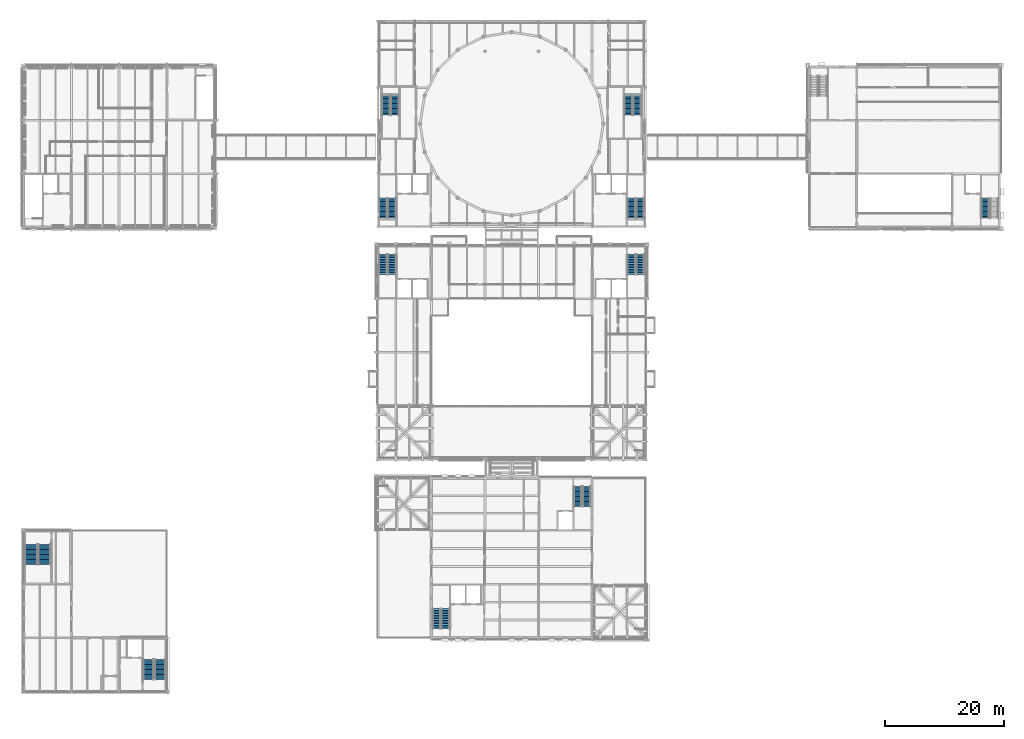
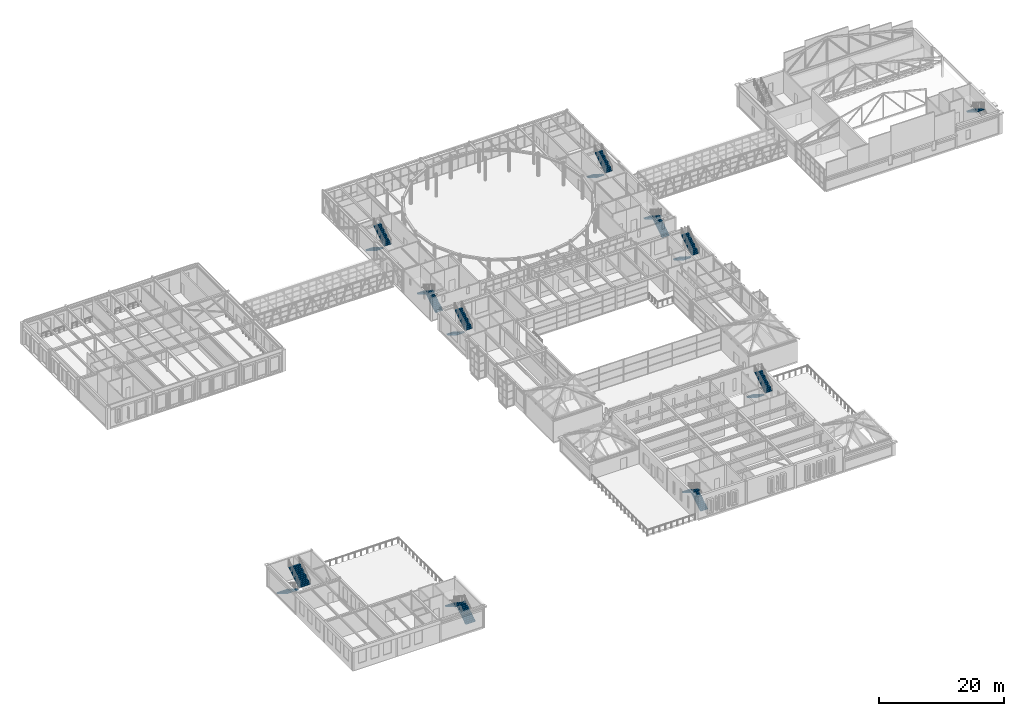
# One storey, part 101 of 149: 21 stair flights, 11 elements without a shape of their own.
"""IFC4 building model written with IfcOpenShell, lengths in metres."""

from ifc_helpers import new_model, si_unit, direction, frame, origin, place, context, subcontext, project, spatial, polyline, outline, extrude, material, type_object, element, aggregate, save


model = new_model("IFC4")

# Units and contexts
model_context = context("Model", 3, precision=1e-05, world=origin(), true_north=direction((0.0, 1.0)))
body_context = subcontext(model_context, "Body", "Model", "MODEL_VIEW")
ifc_project = project(units=[si_unit("LENGTHUNIT", "METRE"), si_unit("AREAUNIT", "SQUARE_METRE"), si_unit("VOLUMEUNIT", "CUBIC_METRE"), si_unit("PLANEANGLEUNIT", "RADIAN"), si_unit("MASSUNIT", "GRAM", prefix="KILO")], contexts=[model_context])

# Site, building, storey
site_placement = place(None, origin())
site = spatial("IfcSite", under=ifc_project, at=site_placement, CompositionType="ELEMENT")
building_placement = place(site_placement, origin())
building = spatial("IfcBuilding", under=site, at=building_placement, Name="Kallimachos Central Library", CompositionType="ELEMENT")
storey_placement = place(building_placement, frame((0.0, 0.0, 9.89990234375)))
storey = spatial("IfcBuildingStorey", under=building, at=storey_placement, Name="L02", CompositionType="ELEMENT", Elevation=9.89990234375)

# Stair, stair flights
ifc_material_1 = material(Name="Concrete C30/37", Category="concrete")
stair_type_1 = type_object("IfcStairType", Name="Concrete stair 1350", PredefinedType="HALF_TURN_STAIR", material=ifc_material_1)
stair_1_placement = place(storey_placement, origin())
stair_1 = element("IfcStair", 1, at=stair_1_placement, inside=storey, type_object=stair_type_1, Name="L02 stair ST13", PredefinedType="HALF_TURN_STAIR")
ifc_material_2 = material(Name="Concrete C30/37", Category="concrete")
stair_flight_type_1 = type_object("IfcStairFlightType", Name="Concrete stair flight 1350", PredefinedType="STRAIGHT", material=ifc_material_2)
stair_flight_1_placement = place(storey_placement, frame((76.875, 19.550048828125, 0.0), z_axis=(0.0, 0.0, 1.0), x_axis=(0.0, 1.0, 0.0)))
stair_flight_1 = element("IfcStairFlight", 2, at=stair_flight_1_placement, type_object=stair_flight_type_1, Name="ST13 flight 1", NumberOfRisers=13, NumberOfTreads=12, PredefinedType="STRAIGHT", RiserHeight=0.173076923, TreadLength=0.28, context=body_context, shape_type="SweptSolid", body=[
    extrude(outline(polyline([(0.0, 0.0), (0.0, 0.173095703125), (0.280029296875, 0.173095703125), (0.280029296875, 0.34619140625), (0.56005859375, 0.34619140625), (0.56005859375, 0.519287109375), (0.840087890625, 0.519287109375), (0.840087890625, 0.6923828125), (1.1201171875, 0.6923828125), (1.1201171875, 0.865478515625), (1.39990234375, 0.865478515625), (1.39990234375, 1.03857421875), (1.679931640625, 1.03857421875), (1.679931640625, 1.21142578125), (1.9599609375, 1.21142578125), (1.9599609375, 1.384521484375), (2.239990234375, 1.384521484375), (2.239990234375, 1.5576171875), (2.52001953125, 1.5576171875), (2.52001953125, 1.730712890625), (2.800048828125, 1.730712890625), (2.800048828125, 1.90380859375), (3.080078125, 1.90380859375), (3.080078125, 2.076904296875), (3.360107421875, 2.076904296875), (3.360107421875, 2.25), (3.360107421875, 1.900634765625), (0.28515625, 0.0), (0.0, 0.0)])), frame((0.0, 0.675048828125, 0.0), z_axis=(0.0, -1.0, 0.0), x_axis=(1.0, 0.0, 0.0)), (0.0, 0.0, 1.0), 1.35009765625),
])
stair_flight_2_placement = place(storey_placement, frame((75.375, 22.909912109375, 2.25), z_axis=(0.0, 0.0, 1.0), x_axis=(0.0, -1.0, 0.0)))
stair_flight_2 = element("IfcStairFlight", 3, at=stair_flight_2_placement, type_object=stair_flight_type_1, Name="ST13 flight 2", NumberOfRisers=13, NumberOfTreads=12, PredefinedType="STRAIGHT", RiserHeight=0.173076923, TreadLength=0.28, context=body_context, shape_type="SweptSolid", body=[
    extrude(outline(polyline([(0.0, 0.0), (0.0, 0.173095703125), (0.280029296875, 0.173095703125), (0.280029296875, 0.34619140625), (0.56005859375, 0.34619140625), (0.56005859375, 0.519287109375), (0.840087890625, 0.519287109375), (0.840087890625, 0.6923828125), (1.1201171875, 0.6923828125), (1.1201171875, 0.865478515625), (1.39990234375, 0.865478515625), (1.39990234375, 1.03857421875), (1.679931640625, 1.03857421875), (1.679931640625, 1.21142578125), (1.9599609375, 1.21142578125), (1.9599609375, 1.384521484375), (2.239990234375, 1.384521484375), (2.239990234375, 1.5576171875), (2.52001953125, 1.5576171875), (2.52001953125, 1.730712890625), (2.800048828125, 1.730712890625), (2.800048828125, 1.90380859375), (3.080078125, 1.90380859375), (3.080078125, 2.076904296875), (3.360107421875, 2.076904296875), (3.360107421875, 2.25), (3.360107421875, 1.900634765625), (0.28515625, 0.0), (0.0, 0.0)])), frame((0.0, 0.675048828125, 0.0), z_axis=(0.0, -1.0, 0.0), x_axis=(1.0, 0.0, 0.0)), (0.0, 0.0, 1.0), 1.35009765625),
])
aggregate(stair_1, [stair_flight_1, stair_flight_2])

stair_2_placement = place(storey_placement, origin())
stair_2 = element("IfcStair", 4, at=stair_2_placement, inside=storey, type_object=stair_type_1, Name="L02 stair ST14", PredefinedType="HALF_TURN_STAIR")
stair_flight_3_placement = place(storey_placement, frame((99.125, 43.449951171875, 0.0), z_axis=(0.0, 0.0, 1.0), x_axis=(0.0, -1.0, 0.0)))
stair_flight_3 = element("IfcStairFlight", 5, at=stair_flight_3_placement, type_object=stair_flight_type_1, Name="ST14 flight 1", NumberOfRisers=13, NumberOfTreads=12, PredefinedType="STRAIGHT", RiserHeight=0.173076923, TreadLength=0.28, context=body_context, shape_type="SweptSolid", body=[
    extrude(outline(polyline([(0.0, 0.0), (0.0, 0.173095703125), (0.280029296875, 0.173095703125), (0.280029296875, 0.34619140625), (0.56005859375, 0.34619140625), (0.56005859375, 0.519287109375), (0.840087890625, 0.519287109375), (0.840087890625, 0.6923828125), (1.1201171875, 0.6923828125), (1.1201171875, 0.865478515625), (1.39990234375, 0.865478515625), (1.39990234375, 1.03857421875), (1.679931640625, 1.03857421875), (1.679931640625, 1.21142578125), (1.9599609375, 1.21142578125), (1.9599609375, 1.384521484375), (2.239990234375, 1.384521484375), (2.239990234375, 1.5576171875), (2.52001953125, 1.5576171875), (2.52001953125, 1.730712890625), (2.800048828125, 1.730712890625), (2.800048828125, 1.90380859375), (3.080078125, 1.90380859375), (3.080078125, 2.076904296875), (3.360107421875, 2.076904296875), (3.360107421875, 2.25), (3.360107421875, 1.900634765625), (0.28515625, 0.0), (0.0, 0.0)])), frame((0.0, 0.675048828125, 0.0), z_axis=(0.0, -1.0, 0.0), x_axis=(1.0, 0.0, 0.0)), (0.0, 0.0, 1.0), 1.35009765625),
])
stair_flight_4_placement = place(storey_placement, frame((100.625, 40.090087890625, 2.25), z_axis=(0.0, 0.0, 1.0), x_axis=(0.0, 1.0, 0.0)))
stair_flight_4 = element("IfcStairFlight", 6, at=stair_flight_4_placement, type_object=stair_flight_type_1, Name="ST14 flight 2", NumberOfRisers=13, NumberOfTreads=12, PredefinedType="STRAIGHT", RiserHeight=0.173076923, TreadLength=0.28, context=body_context, shape_type="SweptSolid", body=[
    extrude(outline(polyline([(0.0, 0.0), (0.0, 0.173095703125), (0.280029296875, 0.173095703125), (0.280029296875, 0.34619140625), (0.56005859375, 0.34619140625), (0.56005859375, 0.519287109375), (0.840087890625, 0.519287109375), (0.840087890625, 0.6923828125), (1.1201171875, 0.6923828125), (1.1201171875, 0.865478515625), (1.39990234375, 0.865478515625), (1.39990234375, 1.03857421875), (1.679931640625, 1.03857421875), (1.679931640625, 1.21142578125), (1.9599609375, 1.21142578125), (1.9599609375, 1.384521484375), (2.239990234375, 1.384521484375), (2.239990234375, 1.5576171875), (2.52001953125, 1.5576171875), (2.52001953125, 1.730712890625), (2.800048828125, 1.730712890625), (2.800048828125, 1.90380859375), (3.080078125, 1.90380859375), (3.080078125, 2.076904296875), (3.360107421875, 2.076904296875), (3.360107421875, 2.25), (3.360107421875, 1.900634765625), (0.28515625, 0.0), (0.0, 0.0)])), frame((0.0, 0.675048828125, 0.0), z_axis=(0.0, -1.0, 0.0), x_axis=(1.0, 0.0, 0.0)), (0.0, 0.0, 1.0), 1.35009765625),
])
aggregate(stair_2, [stair_flight_3, stair_flight_4])

ifc_material_3 = material(Name="Concrete C30/37", Category="concrete")
stair_type_2 = type_object("IfcStairType", Name="Escape stair", PredefinedType="HALF_TURN_STAIR", material=ifc_material_3)
stair_3_placement = place(storey_placement, origin())
stair_3 = element("IfcStair", 7, at=stair_3_placement, inside=storey, type_object=stair_type_2, Name="L02 stair ST9", PredefinedType="HALF_TURN_STAIR")
ifc_material_4 = material(Name="Concrete C30/37", Category="concrete")
stair_flight_type_2 = type_object("IfcStairFlightType", Name="Stair flight", PredefinedType="STRAIGHT", material=ifc_material_4)
stair_flight_5_placement = place(storey_placement, frame((66.375, 82.449951171875, 0.0), z_axis=(0.0, 0.0, 1.0), x_axis=(0.0, -1.0, 0.0)))
stair_flight_5 = element("IfcStairFlight", 8, at=stair_flight_5_placement, type_object=stair_flight_type_2, Name="ST9 flight 1", NumberOfRisers=13, NumberOfTreads=12, PredefinedType="STRAIGHT", RiserHeight=0.173076923, TreadLength=0.28, context=body_context, shape_type="SweptSolid", body=[
    extrude(outline(polyline([(0.0, 0.0), (0.0, 0.173095703125), (0.280029296875, 0.173095703125), (0.280029296875, 0.34619140625), (0.56005859375, 0.34619140625), (0.56005859375, 0.519287109375), (0.840087890625, 0.519287109375), (0.840087890625, 0.6923828125), (1.1201171875, 0.6923828125), (1.1201171875, 0.865478515625), (1.39990234375, 0.865478515625), (1.39990234375, 1.03857421875), (1.679931640625, 1.03857421875), (1.679931640625, 1.21142578125), (1.9599609375, 1.21142578125), (1.9599609375, 1.384521484375), (2.239990234375, 1.384521484375), (2.239990234375, 1.5576171875), (2.52001953125, 1.5576171875), (2.52001953125, 1.730712890625), (2.800048828125, 1.730712890625), (2.800048828125, 1.90380859375), (3.080078125, 1.90380859375), (3.080078125, 2.076904296875), (3.360107421875, 2.076904296875), (3.360107421875, 2.25), (3.360107421875, 1.900634765625), (0.28515625, 0.0), (0.0, 0.0)])), frame((0.0, 0.675048828125, 0.0), z_axis=(0.0, -1.0, 0.0), x_axis=(1.0, 0.0, 0.0)), (0.0, 0.0, 1.0), 1.35009765625),
])
stair_flight_6_placement = place(storey_placement, frame((67.875, 79.090087890625, 2.25), z_axis=(0.0, 0.0, 1.0), x_axis=(0.0, 1.0, 0.0)))
stair_flight_6 = element("IfcStairFlight", 9, at=stair_flight_6_placement, type_object=stair_flight_type_2, Name="ST9 flight 2", NumberOfRisers=13, NumberOfTreads=12, PredefinedType="STRAIGHT", RiserHeight=0.173076923, TreadLength=0.28, context=body_context, shape_type="SweptSolid", body=[
    extrude(outline(polyline([(0.0, 0.0), (0.0, 0.173095703125), (0.280029296875, 0.173095703125), (0.280029296875, 0.34619140625), (0.56005859375, 0.34619140625), (0.56005859375, 0.519287109375), (0.840087890625, 0.519287109375), (0.840087890625, 0.6923828125), (1.1201171875, 0.6923828125), (1.1201171875, 0.865478515625), (1.39990234375, 0.865478515625), (1.39990234375, 1.03857421875), (1.679931640625, 1.03857421875), (1.679931640625, 1.21142578125), (1.9599609375, 1.21142578125), (1.9599609375, 1.384521484375), (2.239990234375, 1.384521484375), (2.239990234375, 1.5576171875), (2.52001953125, 1.5576171875), (2.52001953125, 1.730712890625), (2.800048828125, 1.730712890625), (2.800048828125, 1.90380859375), (3.080078125, 1.90380859375), (3.080078125, 2.076904296875), (3.360107421875, 2.076904296875), (3.360107421875, 2.25), (3.360107421875, 1.900634765625), (0.28515625, 0.0), (0.0, 0.0)])), frame((0.0, 0.675048828125, 0.0), z_axis=(0.0, -1.0, 0.0), x_axis=(1.0, 0.0, 0.0)), (0.0, 0.0, 1.0), 1.35009765625),
])
aggregate(stair_3, [stair_flight_5, stair_flight_6])

stair_4_placement = place(storey_placement, origin())
stair_4 = element("IfcStair", 10, at=stair_4_placement, inside=storey, type_object=stair_type_2, Name="L02 stair ST10", PredefinedType="HALF_TURN_STAIR")
stair_flight_7_placement = place(storey_placement, frame((108.125, 82.449951171875, 0.0), z_axis=(0.0, 0.0, 1.0), x_axis=(0.0, -1.0, 0.0)))
stair_flight_7 = element("IfcStairFlight", 11, at=stair_flight_7_placement, type_object=stair_flight_type_2, Name="ST10 flight 1", NumberOfRisers=13, NumberOfTreads=12, PredefinedType="STRAIGHT", RiserHeight=0.173076923, TreadLength=0.28, context=body_context, shape_type="SweptSolid", body=[
    extrude(outline(polyline([(0.0, 0.0), (0.0, 0.173095703125), (0.280029296875, 0.173095703125), (0.280029296875, 0.34619140625), (0.56005859375, 0.34619140625), (0.56005859375, 0.519287109375), (0.840087890625, 0.519287109375), (0.840087890625, 0.6923828125), (1.1201171875, 0.6923828125), (1.1201171875, 0.865478515625), (1.39990234375, 0.865478515625), (1.39990234375, 1.03857421875), (1.679931640625, 1.03857421875), (1.679931640625, 1.21142578125), (1.9599609375, 1.21142578125), (1.9599609375, 1.384521484375), (2.239990234375, 1.384521484375), (2.239990234375, 1.5576171875), (2.52001953125, 1.5576171875), (2.52001953125, 1.730712890625), (2.800048828125, 1.730712890625), (2.800048828125, 1.90380859375), (3.080078125, 1.90380859375), (3.080078125, 2.076904296875), (3.360107421875, 2.076904296875), (3.360107421875, 2.25), (3.360107421875, 1.900634765625), (0.28515625, 0.0), (0.0, 0.0)])), frame((0.0, 0.675048828125, 0.0), z_axis=(0.0, -1.0, 0.0), x_axis=(1.0, 0.0, 0.0)), (0.0, 0.0, 1.0), 1.35009765625),
])
stair_flight_8_placement = place(storey_placement, frame((109.625, 79.090087890625, 2.25), z_axis=(0.0, 0.0, 1.0), x_axis=(0.0, 1.0, 0.0)))
stair_flight_8 = element("IfcStairFlight", 12, at=stair_flight_8_placement, type_object=stair_flight_type_2, Name="ST10 flight 2", NumberOfRisers=13, NumberOfTreads=12, PredefinedType="STRAIGHT", RiserHeight=0.173076923, TreadLength=0.28, context=body_context, shape_type="SweptSolid", body=[
    extrude(outline(polyline([(0.0, 0.0), (0.0, 0.173095703125), (0.280029296875, 0.173095703125), (0.280029296875, 0.34619140625), (0.56005859375, 0.34619140625), (0.56005859375, 0.519287109375), (0.840087890625, 0.519287109375), (0.840087890625, 0.6923828125), (1.1201171875, 0.6923828125), (1.1201171875, 0.865478515625), (1.39990234375, 0.865478515625), (1.39990234375, 1.03857421875), (1.679931640625, 1.03857421875), (1.679931640625, 1.21142578125), (1.9599609375, 1.21142578125), (1.9599609375, 1.384521484375), (2.239990234375, 1.384521484375), (2.239990234375, 1.5576171875), (2.52001953125, 1.5576171875), (2.52001953125, 1.730712890625), (2.800048828125, 1.730712890625), (2.800048828125, 1.90380859375), (3.080078125, 1.90380859375), (3.080078125, 2.076904296875), (3.360107421875, 2.076904296875), (3.360107421875, 2.25), (3.360107421875, 1.900634765625), (0.28515625, 0.0), (0.0, 0.0)])), frame((0.0, 0.675048828125, 0.0), z_axis=(0.0, -1.0, 0.0), x_axis=(1.0, 0.0, 0.0)), (0.0, 0.0, 1.0), 1.35009765625),
])
aggregate(stair_4, [stair_flight_7, stair_flight_8])

stair_5_placement = place(storey_placement, origin())
stair_5 = element("IfcStair", 13, at=stair_5_placement, inside=storey, type_object=stair_type_2, Name="L02 stair ST17", PredefinedType="HALF_TURN_STAIR")
stair_flight_9_placement = place(storey_placement, frame((28.89990234375, 11.0, 0.0), z_axis=(0.0, 0.0, 1.0), x_axis=(0.0, 1.0, 0.0)))
stair_flight_9 = element("IfcStairFlight", 14, at=stair_flight_9_placement, type_object=stair_flight_type_2, Name="ST17 flight 1", NumberOfRisers=13, NumberOfTreads=12, PredefinedType="STRAIGHT", RiserHeight=0.173076923, TreadLength=0.28, context=body_context, shape_type="SweptSolid", body=[
    extrude(outline(polyline([(0.0, 0.0), (0.0, 0.173095703125), (0.280029296875, 0.173095703125), (0.280029296875, 0.34619140625), (0.56005859375, 0.34619140625), (0.56005859375, 0.519287109375), (0.840087890625, 0.519287109375), (0.840087890625, 0.6923828125), (1.1201171875, 0.6923828125), (1.1201171875, 0.865478515625), (1.39990234375, 0.865478515625), (1.39990234375, 1.03857421875), (1.679931640625, 1.03857421875), (1.679931640625, 1.21142578125), (1.9599609375, 1.21142578125), (1.9599609375, 1.384521484375), (2.239990234375, 1.384521484375), (2.239990234375, 1.5576171875), (2.52001953125, 1.5576171875), (2.52001953125, 1.730712890625), (2.800048828125, 1.730712890625), (2.800048828125, 1.90380859375), (3.080078125, 1.90380859375), (3.080078125, 2.076904296875), (3.360107421875, 2.076904296875), (3.360107421875, 2.25), (3.360107421875, 1.900634765625), (0.28515625, 0.0), (0.0, 0.0)])), frame((0.0, 0.89990234375, 0.0), z_axis=(0.0, -1.0, 0.0), x_axis=(1.0, 0.0, 0.0)), (0.0, 0.0, 1.0), 1.800048828125),
])
stair_flight_10_placement = place(storey_placement, frame((26.949951171875, 14.360107421875, 2.25), z_axis=(0.0, 0.0, 1.0), x_axis=(0.0, -1.0, 0.0)))
stair_flight_10 = element("IfcStairFlight", 15, at=stair_flight_10_placement, type_object=stair_flight_type_2, Name="ST17 flight 2", NumberOfRisers=13, NumberOfTreads=12, PredefinedType="STRAIGHT", RiserHeight=0.173076923, TreadLength=0.28, context=body_context, shape_type="SweptSolid", body=[
    extrude(outline(polyline([(0.0, 0.0), (0.0, 0.173095703125), (0.280029296875, 0.173095703125), (0.280029296875, 0.34619140625), (0.56005859375, 0.34619140625), (0.56005859375, 0.519287109375), (0.840087890625, 0.519287109375), (0.840087890625, 0.6923828125), (1.1201171875, 0.6923828125), (1.1201171875, 0.865478515625), (1.39990234375, 0.865478515625), (1.39990234375, 1.03857421875), (1.679931640625, 1.03857421875), (1.679931640625, 1.21142578125), (1.9599609375, 1.21142578125), (1.9599609375, 1.384521484375), (2.239990234375, 1.384521484375), (2.239990234375, 1.5576171875), (2.52001953125, 1.5576171875), (2.52001953125, 1.730712890625), (2.800048828125, 1.730712890625), (2.800048828125, 1.90380859375), (3.080078125, 1.90380859375), (3.080078125, 2.076904296875), (3.360107421875, 2.076904296875), (3.360107421875, 2.25), (3.360107421875, 1.900634765625), (0.28515625, 0.0), (0.0, 0.0)])), frame((0.0, 0.89990234375, 0.0), z_axis=(0.0, -1.0, 0.0), x_axis=(1.0, 0.0, 0.0)), (0.0, 0.0, 1.0), 1.800048828125),
])
aggregate(stair_5, [stair_flight_9, stair_flight_10])

stair_6_placement = place(storey_placement, origin())
stair_6 = element("IfcStair", 16, at=stair_6_placement, inside=storey, type_object=stair_type_2, Name="L02 stair ST18", PredefinedType="HALF_TURN_STAIR")
stair_flight_11_placement = place(storey_placement, frame((7.25, 33.699951171875, 0.0), z_axis=(0.0, 0.0, 1.0), x_axis=(0.0, -1.0, 0.0)))
stair_flight_11 = element("IfcStairFlight", 17, at=stair_flight_11_placement, type_object=stair_flight_type_2, Name="ST18 flight 1", NumberOfRisers=13, NumberOfTreads=12, PredefinedType="STRAIGHT", RiserHeight=0.173076923, TreadLength=0.28, context=body_context, shape_type="SweptSolid", body=[
    extrude(outline(polyline([(0.0, 0.0), (0.0, 0.173095703125), (0.280029296875, 0.173095703125), (0.280029296875, 0.34619140625), (0.56005859375, 0.34619140625), (0.56005859375, 0.519287109375), (0.840087890625, 0.519287109375), (0.840087890625, 0.6923828125), (1.1201171875, 0.6923828125), (1.1201171875, 0.865478515625), (1.39990234375, 0.865478515625), (1.39990234375, 1.03857421875), (1.679931640625, 1.03857421875), (1.679931640625, 1.21142578125), (1.9599609375, 1.21142578125), (1.9599609375, 1.384521484375), (2.239990234375, 1.384521484375), (2.239990234375, 1.5576171875), (2.52001953125, 1.5576171875), (2.52001953125, 1.730712890625), (2.800048828125, 1.730712890625), (2.800048828125, 1.90380859375), (3.080078125, 1.90380859375), (3.080078125, 2.076904296875), (3.360107421875, 2.076904296875), (3.360107421875, 2.25), (3.360107421875, 1.900634765625), (0.28515625, 0.0), (0.0, 0.0)])), frame((0.0, 1.050048828125, 0.0), z_axis=(0.0, -1.0, 0.0), x_axis=(1.0, 0.0, 0.0)), (0.0, 0.0, 1.0), 2.10009765625),
])
stair_flight_12_placement = place(storey_placement, frame((9.5, 30.340087890625, 2.25), z_axis=(0.0, 0.0, 1.0), x_axis=(0.0, 1.0, 0.0)))
stair_flight_12 = element("IfcStairFlight", 18, at=stair_flight_12_placement, type_object=stair_flight_type_2, Name="ST18 flight 2", NumberOfRisers=13, NumberOfTreads=12, PredefinedType="STRAIGHT", RiserHeight=0.173076923, TreadLength=0.28, context=body_context, shape_type="SweptSolid", body=[
    extrude(outline(polyline([(0.0, 0.0), (0.0, 0.173095703125), (0.280029296875, 0.173095703125), (0.280029296875, 0.34619140625), (0.56005859375, 0.34619140625), (0.56005859375, 0.519287109375), (0.840087890625, 0.519287109375), (0.840087890625, 0.6923828125), (1.1201171875, 0.6923828125), (1.1201171875, 0.865478515625), (1.39990234375, 0.865478515625), (1.39990234375, 1.03857421875), (1.679931640625, 1.03857421875), (1.679931640625, 1.21142578125), (1.9599609375, 1.21142578125), (1.9599609375, 1.384521484375), (2.239990234375, 1.384521484375), (2.239990234375, 1.5576171875), (2.52001953125, 1.5576171875), (2.52001953125, 1.730712890625), (2.800048828125, 1.730712890625), (2.800048828125, 1.90380859375), (3.080078125, 1.90380859375), (3.080078125, 2.076904296875), (3.360107421875, 2.076904296875), (3.360107421875, 2.25), (3.360107421875, 1.900634765625), (0.28515625, 0.0), (0.0, 0.0)])), frame((0.0, 1.050048828125, 0.0), z_axis=(0.0, -1.0, 0.0), x_axis=(1.0, 0.0, 0.0)), (0.0, 0.0, 1.0), 2.10009765625),
])
aggregate(stair_6, [stair_flight_11, stair_flight_12])

# Stair, stair flight
ifc_material_5 = material(Name="Concrete C30/37", Category="concrete")
stair_type_3 = type_object("IfcStairType", Name="Stair V3", PredefinedType="HALF_TURN_STAIR", material=ifc_material_5)
stair_7_placement = place(storey_placement, origin())
stair_7 = element("IfcStair", 19, at=stair_7_placement, inside=storey, type_object=stair_type_3, Name="L02 stair ST7", PredefinedType="HALF_TURN_STAIR")
ifc_material_6 = material(Name="Concrete C30/37", Category="concrete")
stair_flight_type_3 = type_object("IfcStairFlightType", Name="Stair flight V3", PredefinedType="STRAIGHT", material=ifc_material_6)
stair_flight_13_placement = place(storey_placement, frame((167.625, 91.909912109375, 2.25), z_axis=(0.0, 0.0, 1.0), x_axis=(0.0, -1.0, 0.0)))
stair_flight_13 = element("IfcStairFlight", 20, at=stair_flight_13_placement, type_object=stair_flight_type_3, Name="ST7 flight 2", NumberOfRisers=13, NumberOfTreads=12, PredefinedType="STRAIGHT", RiserHeight=0.173076923, TreadLength=0.28, context=body_context, shape_type="SweptSolid", body=[
    extrude(outline(polyline([(0.0, 0.0), (0.0, 0.173095703125), (0.280029296875, 0.173095703125), (0.280029296875, 0.34619140625), (0.56005859375, 0.34619140625), (0.56005859375, 0.519287109375), (0.840087890625, 0.519287109375), (0.840087890625, 0.6923828125), (1.1201171875, 0.6923828125), (1.1201171875, 0.865478515625), (1.39990234375, 0.865478515625), (1.39990234375, 1.03857421875), (1.679931640625, 1.03857421875), (1.679931640625, 1.21142578125), (1.9599609375, 1.21142578125), (1.9599609375, 1.384521484375), (2.239990234375, 1.384521484375), (2.239990234375, 1.5576171875), (2.52001953125, 1.5576171875), (2.52001953125, 1.730712890625), (2.800048828125, 1.730712890625), (2.800048828125, 1.90380859375), (3.080078125, 1.90380859375), (3.080078125, 2.076904296875), (3.360107421875, 2.076904296875), (3.360107421875, 2.25), (3.360107421875, 1.900634765625), (0.28515625, 0.0), (0.0, 0.0)])), frame((0.0, 0.675048828125, 0.0), z_axis=(0.0, -1.0, 0.0), x_axis=(1.0, 0.0, 0.0)), (0.0, 0.0, 1.0), 1.35009765625),
])
aggregate(stair_7, [stair_flight_13])

# Stair, stair flights
ifc_material_7 = material(Name="Steel S355J2", Category="steel")
stair_type_4 = type_object("IfcStairType", Name="Steel half-turn stair 1350", PredefinedType="HALF_TURN_STAIR", material=ifc_material_7)
stair_8_placement = place(storey_placement, origin())
stair_8 = element("IfcStair", 21, at=stair_8_placement, inside=storey, type_object=stair_type_4, Name="L02 stair ST1", PredefinedType="HALF_TURN_STAIR")
ifc_material_8 = material(Name="Steel S355J2", Category="steel")
stair_flight_type_4 = type_object("IfcStairFlightType", Name="Steel stair flight 1350", PredefinedType="STRAIGHT", material=ifc_material_8)
stair_flight_14_placement = place(storey_placement, frame((67.875, 88.550048828125, 0.0), z_axis=(0.0, 0.0, 1.0), x_axis=(0.0, 1.0, 0.0)))
stair_flight_14 = element("IfcStairFlight", 22, at=stair_flight_14_placement, type_object=stair_flight_type_4, Name="ST1 flight 1", NumberOfRisers=13, NumberOfTreads=12, PredefinedType="STRAIGHT", RiserHeight=0.173076923, TreadLength=0.28, context=body_context, shape_type="SweptSolid", body=[
    extrude(outline(polyline([(0.0, 0.0), (0.0, 0.173095703125), (0.280029296875, 0.173095703125), (0.280029296875, 0.34619140625), (0.56005859375, 0.34619140625), (0.56005859375, 0.519287109375), (0.840087890625, 0.519287109375), (0.840087890625, 0.6923828125), (1.1201171875, 0.6923828125), (1.1201171875, 0.865478515625), (1.39990234375, 0.865478515625), (1.39990234375, 1.03857421875), (1.679931640625, 1.03857421875), (1.679931640625, 1.21142578125), (1.9599609375, 1.21142578125), (1.9599609375, 1.384521484375), (2.239990234375, 1.384521484375), (2.239990234375, 1.5576171875), (2.52001953125, 1.5576171875), (2.52001953125, 1.730712890625), (2.800048828125, 1.730712890625), (2.800048828125, 1.90380859375), (3.080078125, 1.90380859375), (3.080078125, 2.076904296875), (3.360107421875, 2.076904296875), (3.360107421875, 2.25), (3.360107421875, 1.900634765625), (0.28515625, 0.0), (0.0, 0.0)])), frame((0.0, 0.675048828125, 0.0), z_axis=(0.0, -1.0, 0.0), x_axis=(1.0, 0.0, 0.0)), (0.0, 0.0, 1.0), 1.35009765625),
])
stair_flight_15_placement = place(storey_placement, frame((66.375, 91.909912109375, 2.25), z_axis=(0.0, 0.0, 1.0), x_axis=(0.0, -1.0, 0.0)))
stair_flight_15 = element("IfcStairFlight", 23, at=stair_flight_15_placement, type_object=stair_flight_type_4, Name="ST1 flight 2", NumberOfRisers=13, NumberOfTreads=12, PredefinedType="STRAIGHT", RiserHeight=0.173076923, TreadLength=0.28, context=body_context, shape_type="SweptSolid", body=[
    extrude(outline(polyline([(0.0, 0.0), (0.0, 0.173095703125), (0.280029296875, 0.173095703125), (0.280029296875, 0.34619140625), (0.56005859375, 0.34619140625), (0.56005859375, 0.519287109375), (0.840087890625, 0.519287109375), (0.840087890625, 0.6923828125), (1.1201171875, 0.6923828125), (1.1201171875, 0.865478515625), (1.39990234375, 0.865478515625), (1.39990234375, 1.03857421875), (1.679931640625, 1.03857421875), (1.679931640625, 1.21142578125), (1.9599609375, 1.21142578125), (1.9599609375, 1.384521484375), (2.239990234375, 1.384521484375), (2.239990234375, 1.5576171875), (2.52001953125, 1.5576171875), (2.52001953125, 1.730712890625), (2.800048828125, 1.730712890625), (2.800048828125, 1.90380859375), (3.080078125, 1.90380859375), (3.080078125, 2.076904296875), (3.360107421875, 2.076904296875), (3.360107421875, 2.25), (3.360107421875, 1.900634765625), (0.28515625, 0.0), (0.0, 0.0)])), frame((0.0, 0.675048828125, 0.0), z_axis=(0.0, -1.0, 0.0), x_axis=(1.0, 0.0, 0.0)), (0.0, 0.0, 1.0), 1.35009765625),
])
aggregate(stair_8, [stair_flight_14, stair_flight_15])

stair_9_placement = place(storey_placement, origin())
stair_9 = element("IfcStair", 24, at=stair_9_placement, inside=storey, type_object=stair_type_4, Name="L02 stair ST2", PredefinedType="HALF_TURN_STAIR")
stair_flight_16_placement = place(storey_placement, frame((109.625, 88.550048828125, 0.0), z_axis=(0.0, 0.0, 1.0), x_axis=(0.0, 1.0, 0.0)))
stair_flight_16 = element("IfcStairFlight", 25, at=stair_flight_16_placement, type_object=stair_flight_type_4, Name="ST2 flight 1", NumberOfRisers=13, NumberOfTreads=12, PredefinedType="STRAIGHT", RiserHeight=0.173076923, TreadLength=0.28, context=body_context, shape_type="SweptSolid", body=[
    extrude(outline(polyline([(0.0, 0.0), (0.0, 0.173095703125), (0.280029296875, 0.173095703125), (0.280029296875, 0.34619140625), (0.56005859375, 0.34619140625), (0.56005859375, 0.519287109375), (0.840087890625, 0.519287109375), (0.840087890625, 0.6923828125), (1.1201171875, 0.6923828125), (1.1201171875, 0.865478515625), (1.39990234375, 0.865478515625), (1.39990234375, 1.03857421875), (1.679931640625, 1.03857421875), (1.679931640625, 1.21142578125), (1.9599609375, 1.21142578125), (1.9599609375, 1.384521484375), (2.239990234375, 1.384521484375), (2.239990234375, 1.5576171875), (2.52001953125, 1.5576171875), (2.52001953125, 1.730712890625), (2.800048828125, 1.730712890625), (2.800048828125, 1.90380859375), (3.080078125, 1.90380859375), (3.080078125, 2.076904296875), (3.360107421875, 2.076904296875), (3.360107421875, 2.25), (3.360107421875, 1.900634765625), (0.28515625, 0.0), (0.0, 0.0)])), frame((0.0, 0.675048828125, 0.0), z_axis=(0.0, -1.0, 0.0), x_axis=(1.0, 0.0, 0.0)), (0.0, 0.0, 1.0), 1.35009765625),
])
stair_flight_17_placement = place(storey_placement, frame((108.125, 91.909912109375, 2.25), z_axis=(0.0, 0.0, 1.0), x_axis=(0.0, -1.0, 0.0)))
stair_flight_17 = element("IfcStairFlight", 26, at=stair_flight_17_placement, type_object=stair_flight_type_4, Name="ST2 flight 2", NumberOfRisers=13, NumberOfTreads=12, PredefinedType="STRAIGHT", RiserHeight=0.173076923, TreadLength=0.28, context=body_context, shape_type="SweptSolid", body=[
    extrude(outline(polyline([(0.0, 0.0), (0.0, 0.173095703125), (0.280029296875, 0.173095703125), (0.280029296875, 0.34619140625), (0.56005859375, 0.34619140625), (0.56005859375, 0.519287109375), (0.840087890625, 0.519287109375), (0.840087890625, 0.6923828125), (1.1201171875, 0.6923828125), (1.1201171875, 0.865478515625), (1.39990234375, 0.865478515625), (1.39990234375, 1.03857421875), (1.679931640625, 1.03857421875), (1.679931640625, 1.21142578125), (1.9599609375, 1.21142578125), (1.9599609375, 1.384521484375), (2.239990234375, 1.384521484375), (2.239990234375, 1.5576171875), (2.52001953125, 1.5576171875), (2.52001953125, 1.730712890625), (2.800048828125, 1.730712890625), (2.800048828125, 1.90380859375), (3.080078125, 1.90380859375), (3.080078125, 2.076904296875), (3.360107421875, 2.076904296875), (3.360107421875, 2.25), (3.360107421875, 1.900634765625), (0.28515625, 0.0), (0.0, 0.0)])), frame((0.0, 0.675048828125, 0.0), z_axis=(0.0, -1.0, 0.0), x_axis=(1.0, 0.0, 0.0)), (0.0, 0.0, 1.0), 1.35009765625),
])
aggregate(stair_9, [stair_flight_16, stair_flight_17])

stair_10_placement = place(storey_placement, origin())
stair_10 = element("IfcStair", 27, at=stair_10_placement, inside=storey, type_object=stair_type_4, Name="L02 stair ST3", PredefinedType="HALF_TURN_STAIR")
stair_flight_18_placement = place(storey_placement, frame((66.875, 109.22509765625, 0.0), z_axis=(0.0, 0.0, 1.0), x_axis=(0.0, -1.0, 0.0)))
stair_flight_18 = element("IfcStairFlight", 28, at=stair_flight_18_placement, type_object=stair_flight_type_4, Name="ST3 flight 1", NumberOfRisers=13, NumberOfTreads=12, PredefinedType="STRAIGHT", RiserHeight=0.173076923, TreadLength=0.28, context=body_context, shape_type="SweptSolid", body=[
    extrude(outline(polyline([(0.0, 0.0), (0.0, 0.173095703125), (0.280029296875, 0.173095703125), (0.280029296875, 0.34619140625), (0.56005859375, 0.34619140625), (0.56005859375, 0.519287109375), (0.840087890625, 0.519287109375), (0.840087890625, 0.6923828125), (1.1201171875, 0.6923828125), (1.1201171875, 0.865478515625), (1.39990234375, 0.865478515625), (1.39990234375, 1.03857421875), (1.679931640625, 1.03857421875), (1.679931640625, 1.21142578125), (1.9599609375, 1.21142578125), (1.9599609375, 1.384521484375), (2.239990234375, 1.384521484375), (2.239990234375, 1.5576171875), (2.52001953125, 1.5576171875), (2.52001953125, 1.730712890625), (2.800048828125, 1.730712890625), (2.800048828125, 1.90380859375), (3.080078125, 1.90380859375), (3.080078125, 2.076904296875), (3.360107421875, 2.076904296875), (3.360107421875, 2.25), (3.360107421875, 1.900634765625), (0.28515625, 0.0), (0.0, 0.0)])), frame((0.0, 0.675048828125, 0.0), z_axis=(0.0, -1.0, 0.0), x_axis=(1.0, 0.0, 0.0)), (0.0, 0.0, 1.0), 1.35009765625),
])
stair_flight_19_placement = place(storey_placement, frame((68.375, 105.864990234375, 2.25), z_axis=(0.0, 0.0, 1.0), x_axis=(0.0, 1.0, 0.0)))
stair_flight_19 = element("IfcStairFlight", 29, at=stair_flight_19_placement, type_object=stair_flight_type_4, Name="ST3 flight 2", NumberOfRisers=13, NumberOfTreads=12, PredefinedType="STRAIGHT", RiserHeight=0.173076923, TreadLength=0.28, context=body_context, shape_type="SweptSolid", body=[
    extrude(outline(polyline([(0.0, 0.0), (0.0, 0.173095703125), (0.280029296875, 0.173095703125), (0.280029296875, 0.34619140625), (0.56005859375, 0.34619140625), (0.56005859375, 0.519287109375), (0.840087890625, 0.519287109375), (0.840087890625, 0.6923828125), (1.1201171875, 0.6923828125), (1.1201171875, 0.865478515625), (1.39990234375, 0.865478515625), (1.39990234375, 1.03857421875), (1.679931640625, 1.03857421875), (1.679931640625, 1.21142578125), (1.9599609375, 1.21142578125), (1.9599609375, 1.384521484375), (2.239990234375, 1.384521484375), (2.239990234375, 1.5576171875), (2.52001953125, 1.5576171875), (2.52001953125, 1.730712890625), (2.800048828125, 1.730712890625), (2.800048828125, 1.90380859375), (3.080078125, 1.90380859375), (3.080078125, 2.076904296875), (3.360107421875, 2.076904296875), (3.360107421875, 2.25), (3.360107421875, 1.900634765625), (0.28515625, 0.0), (0.0, 0.0)])), frame((0.0, 0.675048828125, 0.0), z_axis=(0.0, -1.0, 0.0), x_axis=(1.0, 0.0, 0.0)), (0.0, 0.0, 1.0), 1.35009765625),
])
aggregate(stair_10, [stair_flight_18, stair_flight_19])

stair_11_placement = place(storey_placement, origin())
stair_11 = element("IfcStair", 30, at=stair_11_placement, inside=storey, type_object=stair_type_4, Name="L02 stair ST4", PredefinedType="HALF_TURN_STAIR")
stair_flight_20_placement = place(storey_placement, frame((107.625, 109.22509765625, 0.0), z_axis=(0.0, 0.0, 1.0), x_axis=(0.0, -1.0, 0.0)))
stair_flight_20 = element("IfcStairFlight", 31, at=stair_flight_20_placement, type_object=stair_flight_type_4, Name="ST4 flight 1", NumberOfRisers=13, NumberOfTreads=12, PredefinedType="STRAIGHT", RiserHeight=0.173076923, TreadLength=0.28, context=body_context, shape_type="SweptSolid", body=[
    extrude(outline(polyline([(0.0, 0.0), (0.0, 0.173095703125), (0.280029296875, 0.173095703125), (0.280029296875, 0.34619140625), (0.56005859375, 0.34619140625), (0.56005859375, 0.519287109375), (0.840087890625, 0.519287109375), (0.840087890625, 0.6923828125), (1.1201171875, 0.6923828125), (1.1201171875, 0.865478515625), (1.39990234375, 0.865478515625), (1.39990234375, 1.03857421875), (1.679931640625, 1.03857421875), (1.679931640625, 1.21142578125), (1.9599609375, 1.21142578125), (1.9599609375, 1.384521484375), (2.239990234375, 1.384521484375), (2.239990234375, 1.5576171875), (2.52001953125, 1.5576171875), (2.52001953125, 1.730712890625), (2.800048828125, 1.730712890625), (2.800048828125, 1.90380859375), (3.080078125, 1.90380859375), (3.080078125, 2.076904296875), (3.360107421875, 2.076904296875), (3.360107421875, 2.25), (3.360107421875, 1.900634765625), (0.28515625, 0.0), (0.0, 0.0)])), frame((0.0, 0.675048828125, 0.0), z_axis=(0.0, -1.0, 0.0), x_axis=(1.0, 0.0, 0.0)), (0.0, 0.0, 1.0), 1.35009765625),
])
stair_flight_21_placement = place(storey_placement, frame((109.125, 105.864990234375, 2.25), z_axis=(0.0, 0.0, 1.0), x_axis=(0.0, 1.0, 0.0)))
stair_flight_21 = element("IfcStairFlight", 32, at=stair_flight_21_placement, type_object=stair_flight_type_4, Name="ST4 flight 2", NumberOfRisers=13, NumberOfTreads=12, PredefinedType="STRAIGHT", RiserHeight=0.173076923, TreadLength=0.28, context=body_context, shape_type="SweptSolid", body=[
    extrude(outline(polyline([(0.0, 0.0), (0.0, 0.173095703125), (0.280029296875, 0.173095703125), (0.280029296875, 0.34619140625), (0.56005859375, 0.34619140625), (0.56005859375, 0.519287109375), (0.840087890625, 0.519287109375), (0.840087890625, 0.6923828125), (1.1201171875, 0.6923828125), (1.1201171875, 0.865478515625), (1.39990234375, 0.865478515625), (1.39990234375, 1.03857421875), (1.679931640625, 1.03857421875), (1.679931640625, 1.21142578125), (1.9599609375, 1.21142578125), (1.9599609375, 1.384521484375), (2.239990234375, 1.384521484375), (2.239990234375, 1.5576171875), (2.52001953125, 1.5576171875), (2.52001953125, 1.730712890625), (2.800048828125, 1.730712890625), (2.800048828125, 1.90380859375), (3.080078125, 1.90380859375), (3.080078125, 2.076904296875), (3.360107421875, 2.076904296875), (3.360107421875, 2.25), (3.360107421875, 1.900634765625), (0.28515625, 0.0), (0.0, 0.0)])), frame((0.0, 0.675048828125, 0.0), z_axis=(0.0, -1.0, 0.0), x_axis=(1.0, 0.0, 0.0)), (0.0, 0.0, 1.0), 1.35009765625),
])
aggregate(stair_11, [stair_flight_20, stair_flight_21])

save(model, "model.ifc")
